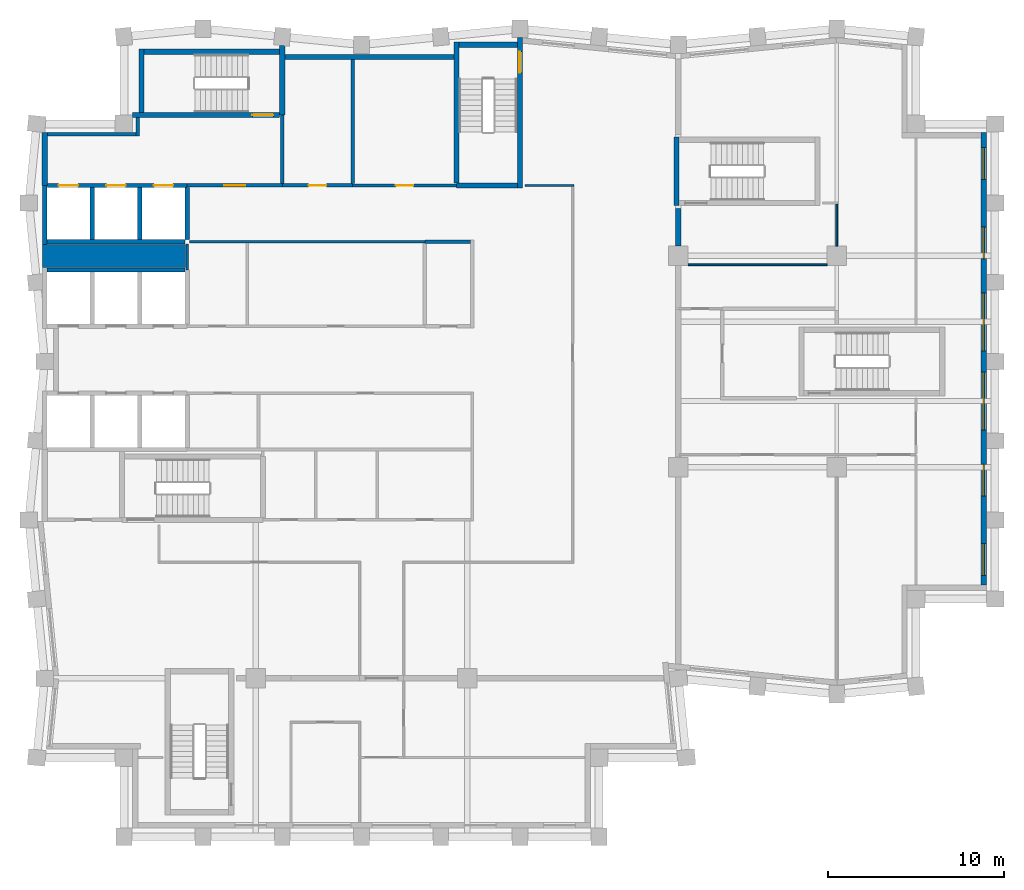
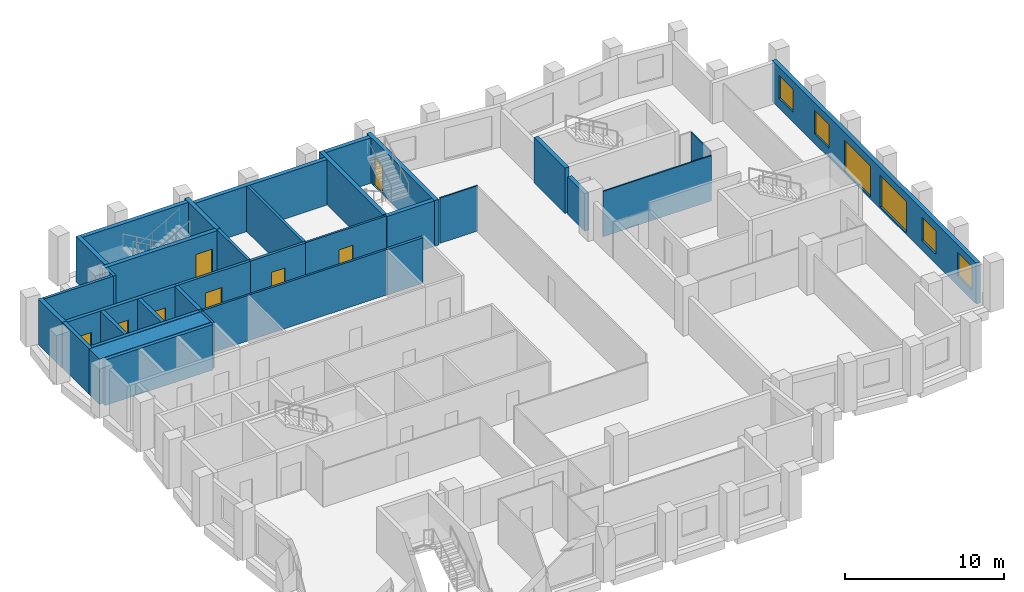
# One storey, part 5 of 7: 34 walls, 8 doors, 6 windows, 14 openings.
"""IFC4 building model written with IfcOpenShell, lengths in metres."""

from ifc_helpers import new_model, si_unit, direction, frame, frame_2d, origin, place, context, subcontext, project, spatial, rectangle, extrude, material, layer, layer_set, type_object, element, fill, save


model = new_model("IFC4")

# Units and contexts
model_context = context("Model", 3, precision=1e-05, world=origin(), true_north=direction((0.0, 1.0)))
body_context = subcontext(model_context, "Body", "Model", "MODEL_VIEW")
ifc_project = project(units=[si_unit("LENGTHUNIT", "METRE"), si_unit("AREAUNIT", "SQUARE_METRE"), si_unit("VOLUMEUNIT", "CUBIC_METRE"), si_unit("PLANEANGLEUNIT", "RADIAN"), si_unit("MASSUNIT", "GRAM", prefix="KILO")], contexts=[model_context])

# Site, building, storey
site_placement = place(None, origin())
site = spatial("IfcSite", under=ifc_project, at=site_placement, CompositionType="ELEMENT")
building_placement = place(site_placement, origin())
building = spatial("IfcBuilding", under=site, at=building_placement, Name="Brondeck Convention Tower", CompositionType="ELEMENT")
storey_placement = place(building_placement, frame((0.0, 0.0, 206.39990234375)))
storey = spatial("IfcBuildingStorey", under=building, at=storey_placement, Name="L50", CompositionType="ELEMENT", Elevation=206.39990234375)

# Walls
ifc_material_1 = material(Name="Concrete compartment wall C30/37", Category="concrete")
ifc_layer_1 = layer(ifc_material_1, 0.300048828125)
ifc_layer_set_1 = layer_set([ifc_layer_1], Name="Compartment wall 300")
wall_type_1 = type_object("IfcWallType", Name="Compartment wall 300", PredefinedType="PARTITIONING", material=ifc_layer_set_1)
wall_1_placement = place(storey_placement, frame((36.0, 51.554931640625, 0.0), z_axis=(0.0, 0.0, 1.0), x_axis=(0.0, 1.0, 0.0)))
element("IfcWall", 1, at=wall_1_placement, inside=storey, type_object=wall_type_1, Name="FLR-L50-W041", PredefinedType="PARTITIONING", context=body_context, shape_type="SweptSolid", body=[
    extrude(rectangle(XDim=2.14501953125, YDim=0.300048828125, at=frame_2d((1.072509765625, 0.0))), origin(), (0.0, 0.0, 1.0), 2.880126953125),
])
ifc_material_2 = material(Name="Concrete C50/60", Category="concrete")
ifc_layer_2 = layer(ifc_material_2, 0.300048828125)
ifc_layer_set_2 = layer_set([ifc_layer_2], Name="Core outer wall 300 Concrete C50/60")
wall_type_2 = type_object("IfcWallType", Name="Core outer wall 300 Concrete C50/60", PredefinedType="SHEAR", material=ifc_layer_set_2)
wall_2_placement = place(storey_placement, frame((13.64990234375, 62.300048828125, 0.0), z_axis=(0.0, 0.0, 1.0), x_axis=(1.0, 0.0, 0.0)))
element("IfcWall", 2, at=wall_2_placement, inside=storey, type_object=wall_type_2, Name="L50 core wall", PredefinedType="SHEAR", context=body_context, shape_type="SweptSolid", body=[
    extrude(rectangle(XDim=9.60009765625, YDim=0.300048828125, at=frame_2d((4.800048828125, 0.0))), origin(), (0.0, 0.0, 1.0), 3.5),
])
wall_3_placement = place(storey_placement, frame((0.0, 55.0, 0.0), z_axis=(0.0, 0.0, 1.0), x_axis=(0.0, 1.0, 0.0)))
element("IfcWall", 3, at=wall_3_placement, inside=storey, type_object=wall_type_2, Name="L50 core wall", PredefinedType="SHEAR", context=body_context, shape_type="SweptSolid", body=[
    extrude(rectangle(XDim=3.0, YDim=0.300048828125, at=frame_2d((1.5, 0.0))), origin(), (0.0, 0.0, 1.0), 3.5),
])
ifc_material_3 = material(Name="Fire-rated gypsum board partition")
ifc_layer_3 = layer(ifc_material_3, 0.14990234375)
ifc_layer_set_3 = layer_set([ifc_layer_3], Name="Core partition 150 EI 60")
wall_type_3 = type_object("IfcWallType", Name="Core partition 150 EI 60", PredefinedType="PARTITIONING", material=ifc_layer_set_3)
wall_4_placement = place(storey_placement, frame((8.22509765625, 51.800048828125, 0.0), z_axis=(0.0, 0.0, 1.0), x_axis=(1.0, 0.0, 0.0)))
element("IfcWall", 4, at=wall_4_placement, inside=storey, type_object=wall_type_3, Name="L50 core wall", PredefinedType="PARTITIONING", context=body_context, shape_type="SweptSolid", body=[
    extrude(rectangle(XDim=13.375, YDim=0.14990234375, at=frame_2d((6.6875, 0.0))), origin(), (0.0, 0.0, 1.0), 3.5),
])

# Wall, opening, door
wall_5_placement = place(storey_placement, frame((17.5, 55.0, 0.0), z_axis=(0.0, 0.0, 1.0), x_axis=(1.0, 0.0, 0.0)))
wall_5 = element("IfcWall", 5, at=wall_5_placement, inside=storey, type_object=wall_type_3, Name="L50 core wall", PredefinedType="PARTITIONING", context=body_context, shape_type="SweptSolid", body=[
    extrude(rectangle(XDim=5.89990234375, YDim=0.14990234375, at=frame_2d((2.949951171875, 0.0))), origin(), (0.0, 0.0, 1.0), 3.5),
])
opening_1_placement = place(wall_5_placement, frame((2.449951171875, 0.0, 0.0)))
opening_1 = element("IfcOpeningElement", 6, at=opening_1_placement, cuts=wall_5, Name="Opening C28-12", PredefinedType="OPENING", context=body_context, shape_type="SweptSolid", body=[
    extrude(rectangle(XDim=1.0, YDim=2.10009765625, at=frame_2d((0.5, 1.050048828125))), frame((0.0, 0.0849609375, 0.0), z_axis=(0.0, -1.0, 0.0), x_axis=(1.0, 0.0, 0.0)), (0.0, 0.0, 1.0), 0.169921875),
])
ifc_material_4 = material(Name="Steel fire door", Category="steel")
door_type_1 = type_object("IfcDoorType", Name="Room door 1000x2100 EI 60", OperationType="NOTDEFINED", PredefinedType="DOOR", material=ifc_material_4)
door_1_placement = place(opening_1_placement, origin())
door_1 = element("IfcDoor", 7, at=door_1_placement, inside=storey, type_object=door_type_1, Name="L50 Room door NE-2", OperationType="SINGLE_SWING_RIGHT", OverallHeight=2.10009765625, OverallWidth=1.0, PredefinedType="DOOR", context=body_context, shape_type="SweptSolid", body=[
    extrude(rectangle(XDim=1.0, YDim=2.10009765625, at=frame_2d((0.5, 1.050048828125))), frame((0.0, 0.02490234375, 0.0), z_axis=(0.0, -1.0, 0.0), x_axis=(1.0, 0.0, 0.0)), (0.0, 0.0, 1.0), 0.050048828125),
])
fill(opening_1, door_1)

# Walls
wall_6_placement = place(storey_placement, frame((8.10009765625, 50.199951171875, 0.0), z_axis=(0.0, 0.0, 1.0), x_axis=(0.0, 1.0, 0.0)))
element("IfcWall", 8, at=wall_6_placement, inside=storey, type_object=wall_type_3, Name="L50 core wall", PredefinedType="PARTITIONING", context=body_context, shape_type="SweptSolid", body=[
    extrude(rectangle(XDim=1.47509765625, YDim=0.14990234375, at=frame_2d((0.737548828125, 0.0))), origin(), (0.0, 0.0, 1.0), 3.5),
])
ifc_layer_4 = layer(ifc_material_2, 1.300048828125)
ifc_layer_set_4 = layer_set([ifc_layer_4], Name="Core shear wall 1300 Concrete C50/60")
wall_type_4 = type_object("IfcWallType", Name="Core shear wall 1300 Concrete C50/60", PredefinedType="SHEAR", material=ifc_layer_set_4)
wall_7_placement = place(storey_placement, frame((-0.125, 51.0, 0.0), z_axis=(0.0, 0.0, 1.0), x_axis=(1.0, 0.0, 0.0)))
element("IfcWall", 9, at=wall_7_placement, inside=storey, type_object=wall_type_4, Name="L50 core wall", PredefinedType="SHEAR", context=body_context, shape_type="SweptSolid", body=[
    extrude(rectangle(XDim=8.125, YDim=1.300048828125, at=frame_2d((4.0625, 0.0))), origin(), (0.0, 0.0, 1.0), 3.5),
])

# Wall, openings, windows
ifc_material_5 = material(Name="Precast concrete C50/60 bronze finish", Category="concrete")
ifc_layer_5 = layer(ifc_material_5, 0.070068359375, Name="Bronze precast facing")
ifc_material_6 = material(Name="Mineral wool")
ifc_layer_6 = layer(ifc_material_6, 0.159912109375, Name="Insulation")
ifc_material_7 = material(Name="Concrete C35/45", Category="concrete")
ifc_layer_7 = layer(ifc_material_7, 0.070068359375, Name="Backing")
ifc_layer_set_5 = layer_set([ifc_layer_5, ifc_layer_6, ifc_layer_7], Name="External infill wall, precast concrete C50/60 bronze facing")
wall_type_5 = type_object("IfcWallType", Name="External infill wall, precast concrete C50/60 bronze facing", PredefinedType="SOLIDWALL", material=ifc_layer_set_5)
wall_8_placement = place(storey_placement, frame((53.35009765625, 58.0, 0.0), z_axis=(0.0, 0.0, 1.0), x_axis=(0.0, -1.0, 0.0)))
wall_8 = element("IfcWall", 10, at=wall_8_placement, inside=storey, type_object=wall_type_5, Name="ENV-EW-L50-P2-A-E54-01", PredefinedType="SOLIDWALL", context=body_context, shape_type="SweptSolid", body=[
    extrude(rectangle(XDim=25.701904296875, YDim=0.300048828125, at=frame_2d((12.85107421875, 0.0))), origin(), (0.0, 0.0, 1.0), 3.150146484375),
])
opening_2_placement = place(wall_8_placement, frame((0.85009765625, 0.0, 0.75)))
opening_2 = element("IfcOpeningElement", 11, at=opening_2_placement, cuts=wall_8, Name="Opening W10", PredefinedType="OPENING", context=body_context, shape_type="SweptSolid", body=[
    extrude(rectangle(XDim=1.800048828125, YDim=1.800048828125, at=frame_2d((0.89990234375, 0.89990234375))), frame((0.0, 0.159912109375, 0.0), z_axis=(0.0, -1.0, 0.0), x_axis=(1.0, 0.0, 0.0)), (0.0, 0.0, 1.0), 0.320068359375),
])
opening_3_placement = place(wall_8_placement, frame((5.35009765625, 0.0, 0.75)))
opening_3 = element("IfcOpeningElement", 12, at=opening_3_placement, cuts=wall_8, Name="Opening W10", PredefinedType="OPENING", context=body_context, shape_type="SweptSolid", body=[
    extrude(rectangle(XDim=1.800048828125, YDim=1.800048828125, at=frame_2d((0.89990234375, 0.89990234375))), frame((0.0, 0.159912109375, 0.0), z_axis=(0.0, -1.0, 0.0), x_axis=(1.0, 0.0, 0.0)), (0.0, 0.0, 1.0), 0.320068359375),
])
opening_4_placement = place(wall_8_placement, frame((9.10009765625, 0.0, 0.14990234375)))
opening_4 = element("IfcOpeningElement", 13, at=opening_4_placement, cuts=wall_8, Name="Opening W9", PredefinedType="OPENING", context=body_context, shape_type="SweptSolid", body=[
    extrude(rectangle(XDim=3.300048828125, YDim=2.39990234375, at=frame_2d((1.64990234375, 1.199951171875))), frame((0.0, 0.159912109375, 0.0), z_axis=(0.0, -1.0, 0.0), x_axis=(1.0, 0.0, 0.0)), (0.0, 0.0, 1.0), 0.320068359375),
])
opening_5_placement = place(wall_8_placement, frame((13.60009765625, 0.0, 0.14990234375)))
opening_5 = element("IfcOpeningElement", 14, at=opening_5_placement, cuts=wall_8, Name="Opening W9", PredefinedType="OPENING", context=body_context, shape_type="SweptSolid", body=[
    extrude(rectangle(XDim=3.300048828125, YDim=2.39990234375, at=frame_2d((1.64990234375, 1.199951171875))), frame((0.0, 0.159912109375, 0.0), z_axis=(0.0, -1.0, 0.0), x_axis=(1.0, 0.0, 0.0)), (0.0, 0.0, 1.0), 0.320068359375),
])
opening_6_placement = place(wall_8_placement, frame((18.85009765625, 0.0, 0.75)))
opening_6 = element("IfcOpeningElement", 15, at=opening_6_placement, cuts=wall_8, Name="Opening W10", PredefinedType="OPENING", context=body_context, shape_type="SweptSolid", body=[
    extrude(rectangle(XDim=1.800048828125, YDim=1.800048828125, at=frame_2d((0.89990234375, 0.89990234375))), frame((0.0, 0.159912109375, 0.0), z_axis=(0.0, -1.0, 0.0), x_axis=(1.0, 0.0, 0.0)), (0.0, 0.0, 1.0), 0.320068359375),
])
opening_7_placement = place(wall_8_placement, frame((23.35009765625, 0.0, 0.75)))
opening_7 = element("IfcOpeningElement", 16, at=opening_7_placement, cuts=wall_8, Name="Opening W10", PredefinedType="OPENING", context=body_context, shape_type="SweptSolid", body=[
    extrude(rectangle(XDim=1.800048828125, YDim=1.800048828125, at=frame_2d((0.89990234375, 0.89990234375))), frame((0.0, 0.159912109375, 0.0), z_axis=(0.0, -1.0, 0.0), x_axis=(1.0, 0.0, 0.0)), (0.0, 0.0, 1.0), 0.320068359375),
])
ifc_material_8 = material(Name="Bronze tinted double glazing", Category="glass")
window_type_1 = type_object("IfcWindowType", Name="Glazed flute window, bronze tinted", PartitioningType="SINGLE_PANEL", PredefinedType="WINDOW", material=ifc_material_8)
window_1_placement = place(opening_4_placement, origin())
window_1 = element("IfcWindow", 17, at=window_1_placement, inside=storey, type_object=window_type_1, Name="ENV-WN-L50-P2-A-E54-04", OverallHeight=2.39990234375, OverallWidth=3.300048828125, PartitioningType="SINGLE_PANEL", PredefinedType="WINDOW", context=body_context, shape_type="SweptSolid", body=[
    extrude(rectangle(XDim=3.300048828125, YDim=2.39990234375, at=frame_2d((1.64990234375, 1.199951171875))), frame((0.0, 0.030029296875, 0.0), z_axis=(0.0, -1.0, 0.0), x_axis=(1.0, 0.0, 0.0)), (0.0, 0.0, 1.0), 0.06005859375),
])
fill(opening_4, window_1)
window_2_placement = place(opening_5_placement, origin())
window_2 = element("IfcWindow", 18, at=window_2_placement, inside=storey, type_object=window_type_1, Name="ENV-WN-L50-P2-A-E54-03", OverallHeight=2.39990234375, OverallWidth=3.300048828125, PartitioningType="SINGLE_PANEL", PredefinedType="WINDOW", context=body_context, shape_type="SweptSolid", body=[
    extrude(rectangle(XDim=3.300048828125, YDim=2.39990234375, at=frame_2d((1.64990234375, 1.199951171875))), frame((0.0, 0.030029296875, 0.0), z_axis=(0.0, -1.0, 0.0), x_axis=(1.0, 0.0, 0.0)), (0.0, 0.0, 1.0), 0.06005859375),
])
fill(opening_5, window_2)
window_type_2 = type_object("IfcWindowType", Name="Punched window, bronze tinted", PartitioningType="SINGLE_PANEL", PredefinedType="WINDOW", material=ifc_material_8)
window_3_placement = place(opening_2_placement, origin())
window_3 = element("IfcWindow", 19, at=window_3_placement, inside=storey, type_object=window_type_2, Name="ENV-WN-L50-P2-A-E54-06", OverallHeight=1.800048828125, OverallWidth=1.800048828125, PartitioningType="SINGLE_PANEL", PredefinedType="WINDOW", context=body_context, shape_type="SweptSolid", body=[
    extrude(rectangle(XDim=1.800048828125, YDim=1.800048828125, at=frame_2d((0.89990234375, 0.89990234375))), frame((0.0, 0.030029296875, 0.0), z_axis=(0.0, -1.0, 0.0), x_axis=(1.0, 0.0, 0.0)), (0.0, 0.0, 1.0), 0.06005859375),
])
fill(opening_2, window_3)
window_4_placement = place(opening_3_placement, origin())
window_4 = element("IfcWindow", 20, at=window_4_placement, inside=storey, type_object=window_type_2, Name="ENV-WN-L50-P2-A-E54-05", OverallHeight=1.800048828125, OverallWidth=1.800048828125, PartitioningType="SINGLE_PANEL", PredefinedType="WINDOW", context=body_context, shape_type="SweptSolid", body=[
    extrude(rectangle(XDim=1.800048828125, YDim=1.800048828125, at=frame_2d((0.89990234375, 0.89990234375))), frame((0.0, 0.030029296875, 0.0), z_axis=(0.0, -1.0, 0.0), x_axis=(1.0, 0.0, 0.0)), (0.0, 0.0, 1.0), 0.06005859375),
])
fill(opening_3, window_4)
window_5_placement = place(opening_6_placement, origin())
window_5 = element("IfcWindow", 21, at=window_5_placement, inside=storey, type_object=window_type_2, Name="ENV-WN-L50-P2-A-E54-02", OverallHeight=1.800048828125, OverallWidth=1.800048828125, PartitioningType="SINGLE_PANEL", PredefinedType="WINDOW", context=body_context, shape_type="SweptSolid", body=[
    extrude(rectangle(XDim=1.800048828125, YDim=1.800048828125, at=frame_2d((0.89990234375, 0.89990234375))), frame((0.0, 0.030029296875, 0.0), z_axis=(0.0, -1.0, 0.0), x_axis=(1.0, 0.0, 0.0)), (0.0, 0.0, 1.0), 0.06005859375),
])
fill(opening_6, window_5)
window_6_placement = place(opening_7_placement, origin())
window_6 = element("IfcWindow", 22, at=window_6_placement, inside=storey, type_object=window_type_2, Name="ENV-WN-L50-P2-A-E54-01", OverallHeight=1.800048828125, OverallWidth=1.800048828125, PartitioningType="SINGLE_PANEL", PredefinedType="WINDOW", context=body_context, shape_type="SweptSolid", body=[
    extrude(rectangle(XDim=1.800048828125, YDim=1.800048828125, at=frame_2d((0.89990234375, 0.89990234375))), frame((0.0, 0.030029296875, 0.0), z_axis=(0.0, -1.0, 0.0), x_axis=(1.0, 0.0, 0.0)), (0.0, 0.0, 1.0), 0.06005859375),
])
fill(opening_7, window_6)

# Wall, opening, door
ifc_layer_8 = layer(ifc_material_3, 0.199951171875)
ifc_layer_set_6 = layer_set([ifc_layer_8], Name="Firefighting lobby wall 200 EI 120")
wall_type_6 = type_object("IfcWallType", Name="Firefighting lobby wall 200 EI 120", PredefinedType="PARTITIONING", material=ifc_layer_set_6)
wall_9_placement = place(storey_placement, frame((8.10009765625, 55.0, 0.0), z_axis=(0.0, 0.0, 1.0), x_axis=(1.0, 0.0, 0.0)))
wall_9 = element("IfcWall", 23, at=wall_9_placement, inside=storey, type_object=wall_type_6, Name="L50 core wall", PredefinedType="PARTITIONING", context=body_context, shape_type="SweptSolid", body=[
    extrude(rectangle(XDim=5.39990234375, YDim=0.199951171875, at=frame_2d((2.699951171875, 0.0))), origin(), (0.0, 0.0, 1.0), 3.5),
])
opening_8_placement = place(wall_9_placement, frame((2.10009765625, 0.0, 0.0)))
opening_8 = element("IfcOpeningElement", 24, at=opening_8_placement, cuts=wall_9, Name="Opening C28-01", PredefinedType="OPENING", context=body_context, shape_type="SweptSolid", body=[
    extrude(rectangle(XDim=1.199951171875, YDim=2.199951171875, at=frame_2d((0.60009765625, 1.10009765625))), frame((0.0, 0.10986328125, 0.0), z_axis=(0.0, -1.0, 0.0), x_axis=(1.0, 0.0, 0.0)), (0.0, 0.0, 1.0), 0.219970703125),
])
door_type_2 = type_object("IfcDoorType", Name="Firefighting lobby door 1200x2200 EI 120", OperationType="NOTDEFINED", PredefinedType="DOOR", material=ifc_material_4)
door_2_placement = place(opening_8_placement, origin())
door_2 = element("IfcDoor", 25, at=door_2_placement, inside=storey, type_object=door_type_2, Name="L50 Firefighting lobby door FFL-1", OperationType="SINGLE_SWING_RIGHT", OverallHeight=2.199951171875, OverallWidth=1.199951171875, PredefinedType="DOOR", context=body_context, shape_type="SweptSolid", body=[
    extrude(rectangle(XDim=1.199951171875, YDim=2.199951171875, at=frame_2d((0.60009765625, 1.10009765625))), frame((0.0, 0.02490234375, 0.0), z_axis=(0.0, -1.0, 0.0), x_axis=(1.0, 0.0, 0.0)), (0.0, 0.0, 1.0), 0.050048828125),
])
fill(opening_8, door_2)

# Walls
wall_10_placement = place(storey_placement, frame((0.14990234375, 57.89990234375, 0.0), z_axis=(0.0, 0.0, 1.0), x_axis=(1.0, 0.0, 0.0)))
element("IfcWall", 26, at=wall_10_placement, inside=storey, type_object=wall_type_6, Name="L50 core wall", PredefinedType="PARTITIONING", context=body_context, shape_type="SweptSolid", body=[
    extrude(rectangle(XDim=5.050048828125, YDim=0.199951171875, at=frame_2d((2.52490234375, 0.0))), origin(), (0.0, 0.0, 1.0), 3.5),
])
wall_11_placement = place(storey_placement, frame((5.300048828125, 57.800048828125, 0.0), z_axis=(0.0, 0.0, 1.0), x_axis=(0.0, 1.0, 0.0)))
element("IfcWall", 27, at=wall_11_placement, inside=storey, type_object=wall_type_6, Name="L50 core wall", PredefinedType="PARTITIONING", context=body_context, shape_type="SweptSolid", body=[
    extrude(rectangle(XDim=1.050048828125, YDim=0.199951171875, at=frame_2d((0.52490234375, 0.0))), origin(), (0.0, 0.0, 1.0), 3.5),
])
wall_12_placement = place(storey_placement, frame((13.5, 55.10009765625, 0.0), z_axis=(0.0, 0.0, 1.0), x_axis=(0.0, 1.0, 0.0)))
element("IfcWall", 28, at=wall_12_placement, inside=storey, type_object=wall_type_6, Name="L50 core wall", PredefinedType="PARTITIONING", context=body_context, shape_type="SweptSolid", body=[
    extrude(rectangle(XDim=3.89990234375, YDim=0.199951171875, at=frame_2d((1.949951171875, 0.0))), origin(), (0.0, 0.0, 1.0), 3.5),
])
ifc_layer_9 = layer(ifc_material_2, 0.25)
ifc_layer_set_7 = layer_set([ifc_layer_9], Name="Lift shaft wall 250 Concrete C50/60")
wall_type_7 = type_object("IfcWallType", Name="Lift shaft wall 250 Concrete C50/60", PredefinedType="SHEAR", material=ifc_layer_set_7)
for number, where, z_axis, x_axis, name in (
    (29, (0.125, 50.199951171875, 0.0), (0.0, 0.0, 1.0), (1.0, 0.0, 0.0), "L50 core wall"),
    (30, (0.125, 51.800048828125, 0.0), (0.0, 0.0, 1.0), (1.0, 0.0, 0.0), "L50 core wall"),
):
    element("IfcWall", number, at=place(storey_placement, frame(where, z_axis=z_axis, x_axis=x_axis)), inside=storey, type_object=wall_type_7, Name=name, PredefinedType="SHEAR", context=body_context, shape_type="SweptSolid", body=[
        extrude(rectangle(XDim=7.85009765625, YDim=0.25, at=frame_2d((3.925048828125, 0.0))), origin(), (0.0, 0.0, 1.0), 3.5),
    ])

# Wall, openings, doors
wall_13_placement = place(storey_placement, frame((0.14990234375, 55.0, 0.0), z_axis=(0.0, 0.0, 1.0), x_axis=(1.0, 0.0, 0.0)))
wall_13 = element("IfcWall", 31, at=wall_13_placement, inside=storey, type_object=wall_type_7, Name="L50 core wall", PredefinedType="SHEAR", context=body_context, shape_type="SweptSolid", body=[
    extrude(rectangle(XDim=7.9501953125, YDim=0.25, at=frame_2d((3.97509765625, 0.0))), origin(), (0.0, 0.0, 1.0), 3.5),
])
opening_9_placement = place(wall_13_placement, frame((0.64990234375, 0.0, 0.0)))
opening_9 = element("IfcOpeningElement", 32, at=opening_9_placement, cuts=wall_13, Name="Opening C28-19", PredefinedType="OPENING", context=body_context, shape_type="SweptSolid", body=[
    extrude(rectangle(XDim=1.10009765625, YDim=2.10009765625, at=frame_2d((0.550048828125, 1.050048828125))), frame((0.0, 0.135009765625, 0.0), z_axis=(0.0, -1.0, 0.0), x_axis=(1.0, 0.0, 0.0)), (0.0, 0.0, 1.0), 0.27001953125),
])
opening_10_placement = place(wall_13_placement, frame((3.35009765625, 0.0, 0.0)))
opening_10 = element("IfcOpeningElement", 33, at=opening_10_placement, cuts=wall_13, Name="Opening C28-20", PredefinedType="OPENING", context=body_context, shape_type="SweptSolid", body=[
    extrude(rectangle(XDim=1.10009765625, YDim=2.10009765625, at=frame_2d((0.550048828125, 1.050048828125))), frame((0.0, 0.135009765625, 0.0), z_axis=(0.0, -1.0, 0.0), x_axis=(1.0, 0.0, 0.0)), (0.0, 0.0, 1.0), 0.27001953125),
])
opening_11_placement = place(wall_13_placement, frame((6.050048828125, 0.0, 0.0)))
opening_11 = element("IfcOpeningElement", 34, at=opening_11_placement, cuts=wall_13, Name="Opening C28-21", PredefinedType="OPENING", context=body_context, shape_type="SweptSolid", body=[
    extrude(rectangle(XDim=1.10009765625, YDim=2.10009765625, at=frame_2d((0.550048828125, 1.050048828125))), frame((0.0, 0.135009765625, 0.0), z_axis=(0.0, -1.0, 0.0), x_axis=(1.0, 0.0, 0.0)), (0.0, 0.0, 1.0), 0.27001953125),
])
ifc_material_9 = material(Name="Stainless steel lift door", Category="steel")
door_type_3 = type_object("IfcDoorType", Name="Lift landing door 1100x2100 EI 180", OperationType="DOUBLE_DOOR_SLIDING", PredefinedType="DOOR", material=ifc_material_9)
door_3_placement = place(opening_9_placement, origin())
door_3 = element("IfcDoor", 35, at=door_3_placement, inside=storey, type_object=door_type_3, Name="L50 Lift landing door FF1", OperationType="DOUBLE_DOOR_SLIDING", OverallHeight=2.10009765625, OverallWidth=1.10009765625, PredefinedType="DOOR", context=body_context, shape_type="SweptSolid", body=[
    extrude(rectangle(XDim=1.10009765625, YDim=2.10009765625, at=frame_2d((0.550048828125, 1.050048828125))), frame((0.0, 0.02490234375, 0.0), z_axis=(0.0, -1.0, 0.0), x_axis=(1.0, 0.0, 0.0)), (0.0, 0.0, 1.0), 0.050048828125),
])
fill(opening_9, door_3)
door_4_placement = place(opening_10_placement, origin())
door_4 = element("IfcDoor", 36, at=door_4_placement, inside=storey, type_object=door_type_3, Name="L50 Lift landing door FF2", OperationType="DOUBLE_DOOR_SLIDING", OverallHeight=2.10009765625, OverallWidth=1.10009765625, PredefinedType="DOOR", context=body_context, shape_type="SweptSolid", body=[
    extrude(rectangle(XDim=1.10009765625, YDim=2.10009765625, at=frame_2d((0.550048828125, 1.050048828125))), frame((0.0, 0.02490234375, 0.0), z_axis=(0.0, -1.0, 0.0), x_axis=(1.0, 0.0, 0.0)), (0.0, 0.0, 1.0), 0.050048828125),
])
fill(opening_10, door_4)
door_5_placement = place(opening_11_placement, origin())
door_5 = element("IfcDoor", 37, at=door_5_placement, inside=storey, type_object=door_type_3, Name="L50 Lift landing door FF3", OperationType="DOUBLE_DOOR_SLIDING", OverallHeight=2.10009765625, OverallWidth=1.10009765625, PredefinedType="DOOR", context=body_context, shape_type="SweptSolid", body=[
    extrude(rectangle(XDim=1.10009765625, YDim=2.10009765625, at=frame_2d((0.550048828125, 1.050048828125))), frame((0.0, 0.02490234375, 0.0), z_axis=(0.0, -1.0, 0.0), x_axis=(1.0, 0.0, 0.0)), (0.0, 0.0, 1.0), 0.050048828125),
])
fill(opening_11, door_5)

# Walls
wall_14_placement = place(storey_placement, frame((0.0, 51.64990234375, 0.0), z_axis=(0.0, 0.0, 1.0), x_axis=(0.0, 1.0, 0.0)))
element("IfcWall", 38, at=wall_14_placement, inside=storey, type_object=wall_type_7, Name="L50 core wall", PredefinedType="SHEAR", context=body_context, shape_type="SweptSolid", body=[
    extrude(rectangle(XDim=3.35009765625, YDim=0.25, at=frame_2d((1.675048828125, 0.0))), origin(), (0.0, 0.0, 1.0), 3.5),
])
for number, where, z_axis, x_axis, name in (
    (39, (2.699951171875, 51.925048828125, 0.0), (0.0, 0.0, 1.0), (0.0, 1.0, 0.0), "L50 core wall"),
    (40, (5.39990234375, 51.925048828125, 0.0), (0.0, 0.0, 1.0), (0.0, 1.0, 0.0), "L50 core wall"),
    (41, (8.10009765625, 51.925048828125, 0.0), (0.0, 0.0, 1.0), (0.0, 1.0, 0.0), "L50 core wall"),
):
    element("IfcWall", number, at=place(storey_placement, frame(where, z_axis=z_axis, x_axis=x_axis)), inside=storey, type_object=wall_type_7, Name=name, PredefinedType="SHEAR", context=body_context, shape_type="SweptSolid", body=[
        extrude(rectangle(XDim=2.949951171875, YDim=0.25, at=frame_2d((1.47509765625, 0.0))), origin(), (0.0, 0.0, 1.0), 3.5),
    ])
ifc_layer_10 = layer(ifc_material_3, 0.199951171875)
ifc_layer_set_8 = layer_set([ifc_layer_10], Name="Riser wall 200 EI 120")
wall_type_8 = type_object("IfcWallType", Name="Riser wall 200 EI 120", PredefinedType="PARTITIONING", material=ifc_layer_set_8)
wall_15_placement = place(storey_placement, frame((21.60009765625, 51.800048828125, 0.0), z_axis=(0.0, 0.0, 1.0), x_axis=(1.0, 0.0, 0.0)))
element("IfcWall", 42, at=wall_15_placement, inside=storey, type_object=wall_type_8, Name="L50 core wall", PredefinedType="PARTITIONING", context=body_context, shape_type="SweptSolid", body=[
    extrude(rectangle(XDim=2.599853515625, YDim=0.199951171875, at=frame_2d((1.2998046875, 0.0))), origin(), (0.0, 0.0, 1.0), 3.5),
])

# Wall, opening, door
wall_16_placement = place(storey_placement, frame((13.5, 55.0, 0.0), z_axis=(0.0, 0.0, 1.0), x_axis=(1.0, 0.0, 0.0)))
wall_16 = element("IfcWall", 43, at=wall_16_placement, inside=storey, type_object=wall_type_8, Name="L50 core wall", PredefinedType="PARTITIONING", context=body_context, shape_type="SweptSolid", body=[
    extrude(rectangle(XDim=4.0, YDim=0.199951171875, at=frame_2d((2.0, 0.0))), origin(), (0.0, 0.0, 1.0), 3.5),
])
opening_12_placement = place(wall_16_placement, frame((1.5, 0.0, 0.0)))
opening_12 = element("IfcOpeningElement", 44, at=opening_12_placement, cuts=wall_16, Name="Opening C28-11", PredefinedType="OPENING", context=body_context, shape_type="SweptSolid", body=[
    extrude(rectangle(XDim=1.0, YDim=2.10009765625, at=frame_2d((0.5, 1.050048828125))), frame((0.0, 0.10986328125, 0.0), z_axis=(0.0, -1.0, 0.0), x_axis=(1.0, 0.0, 0.0)), (0.0, 0.0, 1.0), 0.219970703125),
])
door_type_4 = type_object("IfcDoorType", Name="Riser door 1000x2100 EI 120", OperationType="NOTDEFINED", PredefinedType="DOOR", material=ifc_material_4)
door_6_placement = place(opening_12_placement, origin())
door_6 = element("IfcDoor", 45, at=door_6_placement, inside=storey, type_object=door_type_4, Name="L50 Riser door NE-1", OperationType="SINGLE_SWING_LEFT", OverallHeight=2.10009765625, OverallWidth=1.0, PredefinedType="DOOR", context=body_context, shape_type="SweptSolid", body=[
    extrude(rectangle(XDim=1.0, YDim=2.10009765625, at=frame_2d((0.5, 1.050048828125))), frame((0.0, 0.02490234375, 0.0), z_axis=(0.0, -1.0, 0.0), x_axis=(1.0, 0.0, 0.0)), (0.0, 0.0, 1.0), 0.050048828125),
])
fill(opening_12, door_6)

# Walls
wall_17_placement = place(storey_placement, frame((17.5, 55.10009765625, 0.0), z_axis=(0.0, 0.0, 1.0), x_axis=(0.0, 1.0, 0.0)))
element("IfcWall", 46, at=wall_17_placement, inside=storey, type_object=wall_type_8, Name="L50 core wall", PredefinedType="PARTITIONING", context=body_context, shape_type="SweptSolid", body=[
    extrude(rectangle(XDim=7.0498046875, YDim=0.199951171875, at=frame_2d((3.52490234375, 0.0))), origin(), (0.0, 0.0, 1.0), 3.5),
])
ifc_material_10 = material(Name="Gypsum board partition on steel studs", Category="steel")
ifc_layer_11 = layer(ifc_material_10, 0.10009765625)
ifc_layer_set_9 = layer_set([ifc_layer_11], Name="Room partition 100")
wall_type_9 = type_object("IfcWallType", Name="Room partition 100", PredefinedType="PARTITIONING", material=ifc_layer_set_9)
wall_18_placement = place(storey_placement, frame((44.445068359375, 50.5, 0.0), z_axis=(0.0, 0.0, 1.0), x_axis=(-1.0, 0.0, 0.0)))
element("IfcWall", 47, at=wall_18_placement, inside=storey, type_object=wall_type_9, Name="FLR-L50-W040", PredefinedType="PARTITIONING", context=body_context, shape_type="SweptSolid", body=[
    extrude(rectangle(XDim=7.89013671875, YDim=0.10009765625, at=frame_2d((3.945068359375, 0.0))), origin(), (0.0, 0.0, 1.0), 3.47998046875),
])
wall_19_placement = place(storey_placement, frame((45.0, 53.949951171875, 0.0), z_axis=(0.0, 0.0, 1.0), x_axis=(0.0, -1.0, 0.0)))
element("IfcWall", 48, at=wall_19_placement, inside=storey, type_object=wall_type_9, Name="FLR-L50-W042", PredefinedType="PARTITIONING", context=body_context, shape_type="SweptSolid", body=[
    extrude(rectangle(XDim=2.39501953125, YDim=0.10009765625, at=frame_2d((1.197509765625, 0.0))), origin(), (0.0, 0.0, 1.0), 2.97998046875),
])
wall_20_placement = place(storey_placement, frame((27.300048828125, 55.0, 0.0), z_axis=(0.0, 0.0, 1.0), x_axis=(1.0, 0.0, 0.0)))
element("IfcWall", 49, at=wall_20_placement, inside=storey, type_object=wall_type_9, Name="FLR-L50-W045", PredefinedType="PARTITIONING", context=body_context, shape_type="SweptSolid", body=[
    extrude(rectangle(XDim=2.75, YDim=0.10009765625, at=frame_2d((1.375, 0.0))), origin(), (0.0, 0.0, 1.0), 3.47998046875),
])
ifc_layer_12 = layer(ifc_material_2, 0.300048828125)
ifc_layer_set_10 = layer_set([ifc_layer_12], Name="Stair enclosure wall 300 Concrete C50/60")
wall_type_10 = type_object("IfcWallType", Name="Stair enclosure wall 300 Concrete C50/60", PredefinedType="SHEAR", material=ifc_layer_set_10)
wall_21_placement = place(storey_placement, frame((23.39990234375, 55.0, 0.0), z_axis=(0.0, 0.0, 1.0), x_axis=(1.0, 0.0, 0.0)))
element("IfcWall", 50, at=wall_21_placement, inside=storey, type_object=wall_type_10, Name="L50 core wall", PredefinedType="SHEAR", context=body_context, shape_type="SweptSolid", body=[
    extrude(rectangle(XDim=3.4501953125, YDim=0.300048828125, at=frame_2d((1.72509765625, 0.0))), origin(), (0.0, 0.0, 1.0), 3.5),
])

# Wall, opening, door
wall_22_placement = place(storey_placement, frame((5.0, 59.0, 0.0), z_axis=(0.0, 0.0, 1.0), x_axis=(1.0, 0.0, 0.0)))
wall_22 = element("IfcWall", 51, at=wall_22_placement, inside=storey, type_object=wall_type_10, Name="L50 core wall", PredefinedType="SHEAR", context=body_context, shape_type="SweptSolid", body=[
    extrude(rectangle(XDim=8.35009765625, YDim=0.300048828125, at=frame_2d((4.175048828125, 0.0))), origin(), (0.0, 0.0, 1.0), 3.5),
])
opening_13_placement = place(wall_22_placement, frame((6.800048828125, 0.0, 0.0)))
opening_13 = element("IfcOpeningElement", 52, at=opening_13_placement, cuts=wall_22, Name="Opening C28-15", PredefinedType="OPENING", context=body_context, shape_type="SweptSolid", body=[
    extrude(rectangle(XDim=1.199951171875, YDim=2.199951171875, at=frame_2d((0.60009765625, 1.10009765625))), frame((0.0, 0.159912109375, 0.0), z_axis=(0.0, -1.0, 0.0), x_axis=(1.0, 0.0, 0.0)), (0.0, 0.0, 1.0), 0.320068359375),
])
door_type_5 = type_object("IfcDoorType", Name="Stair door 1200x2200 EI 120", OperationType="NOTDEFINED", PredefinedType="DOOR", material=ifc_material_4)
door_7_placement = place(opening_13_placement, origin())
door_7 = element("IfcDoor", 53, at=door_7_placement, inside=storey, type_object=door_type_5, Name="L50 Stair door ST-3", OperationType="SINGLE_SWING_RIGHT", OverallHeight=2.199951171875, OverallWidth=1.199951171875, PredefinedType="DOOR", context=body_context, shape_type="SweptSolid", body=[
    extrude(rectangle(XDim=1.199951171875, YDim=2.199951171875, at=frame_2d((0.60009765625, 1.10009765625))), frame((0.0, 0.02490234375, 0.0), z_axis=(0.0, -1.0, 0.0), x_axis=(1.0, 0.0, 0.0)), (0.0, 0.0, 1.0), 0.050048828125),
])
fill(opening_13, door_7)

# Walls
wall_23_placement = place(storey_placement, frame((5.64990234375, 62.60009765625, 0.0), z_axis=(0.0, 0.0, 1.0), x_axis=(1.0, 0.0, 0.0)))
element("IfcWall", 54, at=wall_23_placement, inside=storey, type_object=wall_type_10, Name="L50 core wall", PredefinedType="SHEAR", context=body_context, shape_type="SweptSolid", body=[
    extrude(rectangle(XDim=7.7001953125, YDim=0.300048828125, at=frame_2d((3.85009765625, 0.0))), origin(), (0.0, 0.0, 1.0), 3.5),
])
wall_24_placement = place(storey_placement, frame((23.550048828125, 63.0, 0.0), z_axis=(0.0, 0.0, 1.0), x_axis=(1.0, 0.0, 0.0)))
element("IfcWall", 55, at=wall_24_placement, inside=storey, type_object=wall_type_10, Name="L50 core wall", PredefinedType="SHEAR", context=body_context, shape_type="SweptSolid", body=[
    extrude(rectangle(XDim=3.300048828125, YDim=0.300048828125, at=frame_2d((1.64990234375, 0.0))), origin(), (0.0, 0.0, 1.0), 3.5),
])
wall_25_placement = place(storey_placement, frame((5.5, 59.14990234375, 0.0), z_axis=(0.0, 0.0, 1.0), x_axis=(0.0, 1.0, 0.0)))
element("IfcWall", 56, at=wall_25_placement, inside=storey, type_object=wall_type_10, Name="L50 core wall", PredefinedType="SHEAR", context=body_context, shape_type="SweptSolid", body=[
    extrude(rectangle(XDim=3.60009765625, YDim=0.300048828125, at=frame_2d((1.800048828125, 0.0))), origin(), (0.0, 0.0, 1.0), 3.5),
])
wall_26_placement = place(storey_placement, frame((13.5, 59.0, 0.0), z_axis=(0.0, 0.0, 1.0), x_axis=(0.0, 1.0, 0.0)))
element("IfcWall", 57, at=wall_26_placement, inside=storey, type_object=wall_type_10, Name="L50 core wall", PredefinedType="SHEAR", context=body_context, shape_type="SweptSolid", body=[
    extrude(rectangle(XDim=3.947509765625, YDim=0.300048828125, at=frame_2d((1.9736328125, 0.0))), origin(), (0.0, 0.0, 1.0), 3.5),
])
wall_27_placement = place(storey_placement, frame((23.39990234375, 55.14990234375, 0.0), z_axis=(0.0, 0.0, 1.0), x_axis=(0.0, 1.0, 0.0)))
element("IfcWall", 58, at=wall_27_placement, inside=storey, type_object=wall_type_10, Name="L50 core wall", PredefinedType="SHEAR", context=body_context, shape_type="SweptSolid", body=[
    extrude(rectangle(XDim=8.0, YDim=0.300048828125, at=frame_2d((4.0, 0.0))), origin(), (0.0, 0.0, 1.0), 3.5),
])

# Wall, opening, door
wall_28_placement = place(storey_placement, frame((27.0, 54.85009765625, 0.0), z_axis=(0.0, 0.0, 1.0), x_axis=(0.0, 1.0, 0.0)))
wall_28 = element("IfcWall", 59, at=wall_28_placement, inside=storey, type_object=wall_type_10, Name="L50 core wall", PredefinedType="SHEAR", context=body_context, shape_type="SweptSolid", body=[
    extrude(rectangle(XDim=8.5498046875, YDim=0.300048828125, at=frame_2d((4.27490234375, 0.0))), origin(), (0.0, 0.0, 1.0), 3.5),
])
opening_14_placement = place(wall_28_placement, frame((6.550048828125, 0.0, 0.0)))
opening_14 = element("IfcOpeningElement", 60, at=opening_14_placement, cuts=wall_28, Name="Opening C28-14", PredefinedType="OPENING", context=body_context, shape_type="SweptSolid", body=[
    extrude(rectangle(XDim=1.199951171875, YDim=2.199951171875, at=frame_2d((0.60009765625, 1.10009765625))), frame((0.0, 0.159912109375, 0.0), z_axis=(0.0, -1.0, 0.0), x_axis=(1.0, 0.0, 0.0)), (0.0, 0.0, 1.0), 0.320068359375),
])
door_type_6 = type_object("IfcDoorType", Name="Stair door 1200x2200 EI 90", OperationType="NOTDEFINED", PredefinedType="DOOR", material=ifc_material_4)
door_8_placement = place(opening_14_placement, origin())
door_8 = element("IfcDoor", 61, at=door_8_placement, inside=storey, type_object=door_type_6, Name="L50 Stair door ST-2", OperationType="SINGLE_SWING_LEFT", OverallHeight=2.199951171875, OverallWidth=1.199951171875, PredefinedType="DOOR", context=body_context, shape_type="SweptSolid", body=[
    extrude(rectangle(XDim=1.199951171875, YDim=2.199951171875, at=frame_2d((0.60009765625, 1.10009765625))), frame((0.0, 0.02490234375, 0.0), z_axis=(0.0, -1.0, 0.0), x_axis=(1.0, 0.0, 0.0)), (0.0, 0.0, 1.0), 0.050048828125),
])
fill(opening_14, door_8)

# Wall
wall_29_placement = place(storey_placement, frame((35.89990234375, 53.85009765625, 0.0), z_axis=(0.0, 0.0, 1.0), x_axis=(0.0, 1.0, 0.0)))
element("IfcWall", 62, at=wall_29_placement, inside=storey, type_object=wall_type_10, Name="L50 core wall", PredefinedType="SHEAR", context=body_context, shape_type="SweptSolid", body=[
    extrude(rectangle(XDim=3.89990234375, YDim=0.300048828125, at=frame_2d((1.949951171875, 0.0))), origin(), (0.0, 0.0, 1.0), 3.5),
])

save(model, "model.ifc")
